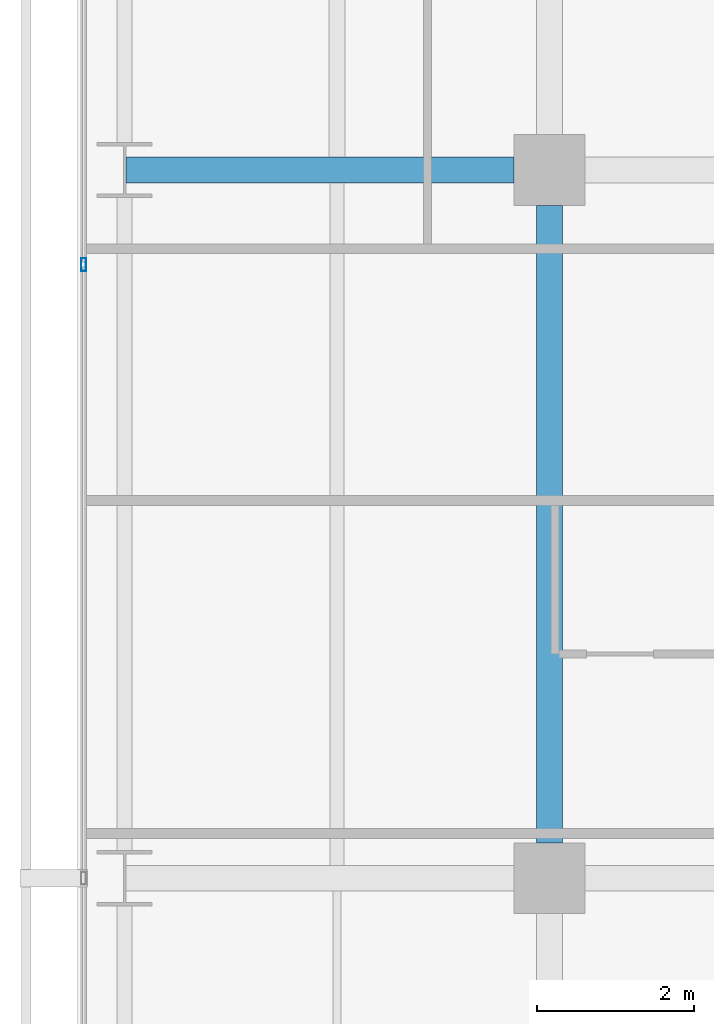
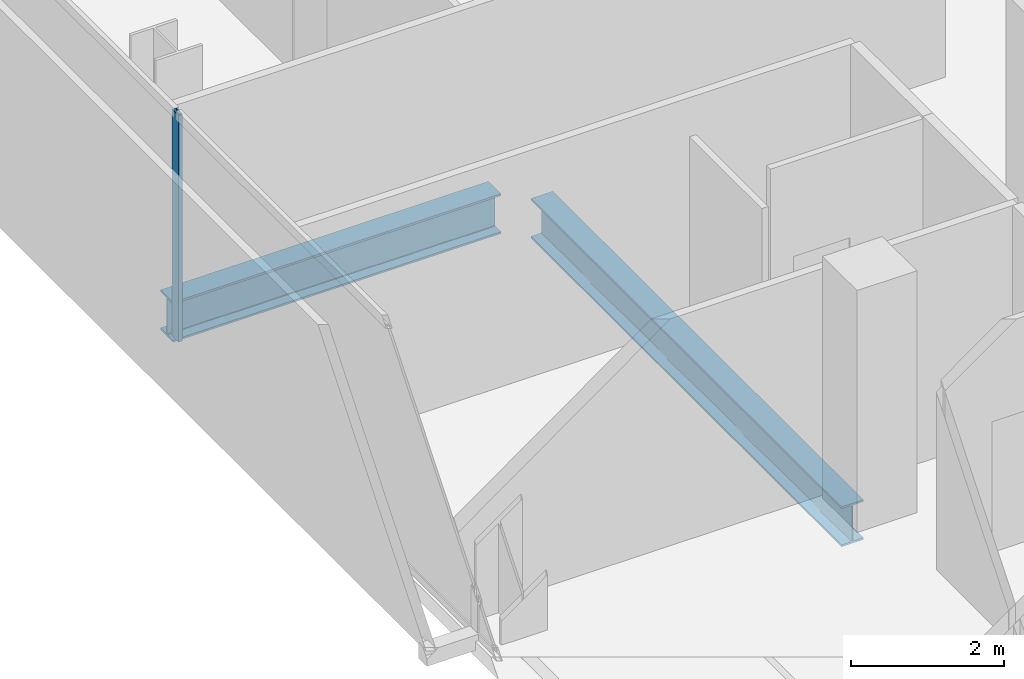
# One storey, part 21 of 40: 2 beams, 1 member, 1 element without a shape of its own.
"""IFC4 building model written with IfcOpenShell, lengths in metres."""

from ifc_helpers import new_model, si_unit, direction, frame, origin, origin_2d, place, context, subcontext, project, spatial, hollow_rectangle, i_section, extrude, material, layer, layer_set, material_profile, profile_set, type_object, element, aggregate, save


model = new_model("IFC4")

# Units and contexts
model_context = context("Model", 3, precision=1e-05, world=origin(), true_north=direction((0.0, 1.0)))
body_context = subcontext(model_context, "Body", "Model", "MODEL_VIEW")
ifc_project = project(units=[si_unit("LENGTHUNIT", "METRE"), si_unit("AREAUNIT", "SQUARE_METRE"), si_unit("VOLUMEUNIT", "CUBIC_METRE"), si_unit("PLANEANGLEUNIT", "RADIAN"), si_unit("MASSUNIT", "GRAM", prefix="KILO")], contexts=[model_context])

# Site, building, storey
site_placement = place(None, origin())
site = spatial("IfcSite", under=ifc_project, at=site_placement, CompositionType="ELEMENT")
building_placement = place(site_placement, origin())
building = spatial("IfcBuilding", under=site, at=building_placement, Name="Maruvema Waterfront Hotel and Observation Tower", CompositionType="ELEMENT")
storey_placement = place(building_placement, frame((0.0, 0.0, 34.64990234375)))
storey = spatial("IfcBuildingStorey", under=building, at=storey_placement, Name="L07", CompositionType="ELEMENT", Elevation=34.64990234375)

# Curtain wall, member
ifc_material_1 = material(Name="Anodised bronze aluminium and solar-control low-E IGU", Category="aluminium")
ifc_layer = layer(ifc_material_1, 0.159912109375, Name="Zone 1 Bronze Inner Thermal Curtain Wall System CW-02")
ifc_layer_set = layer_set([ifc_layer], Name="Anodised bronze aluminium and solar-control low-E IGU")
curtain_wall_type = type_object("IfcCurtainWallType", Name="Zone 1 Bronze Inner Thermal Curtain Wall System CW-02", PredefinedType="USERDEFINED", material=ifc_layer_set)
curtain_wall_placement = place(storey_placement, origin())
curtain_wall = element("IfcCurtainWall", 1, at=curtain_wall_placement, inside=storey, type_object=curtain_wall_type, Name="L07 Curtain Wall CW-L07-W", ObjectType="UNITISED CURTAIN WALL", PredefinedType="USERDEFINED")
ifc_material_2 = material(Name="Anodised architectural bronze aluminium", Category="aluminium")
ifc_material_profile_1 = material_profile(ifc_material_2, hollow_rectangle(XDim=0.06494140625, YDim=0.1650390625, WallThickness=0.00390625, at=origin_2d()), Name="ALU-M65x165")
ifc_profile_set_1 = profile_set([ifc_material_profile_1], Name="Anodised architectural bronze aluminium")
member_type = type_object("IfcMemberType", Name="Curtain Wall Primary Mullion ALU-M65x165", PredefinedType="MULLION", material=ifc_profile_set_1)
member_placement = place(storey_placement, frame((10.8798828125, 34.800048828125, 0.0), z_axis=(0.0, 0.0, 1.0), x_axis=(1.0, 0.0, 0.0)))
member = element("IfcMember", 2, at=member_placement, type_object=member_type, Name="CW-02 mullion 3", PredefinedType="MULLION", context=body_context, shape_type="SweptSolid", body=[
    extrude(hollow_rectangle(XDim=0.06494140625, YDim=0.1650390625, WallThickness=0.00390625, at=origin_2d()), origin(), (0.0, 0.0, 1.0), 3.610107421875),
])
aggregate(curtain_wall, [member])

# Beams
ifc_material_3 = material(Name="Steel ASTM A572 Grade 50", Category="steel")
ifc_material_profile_2 = material_profile(ifc_material_3, i_section(OverallWidth=0.3291015625, OverallDepth=0.635009765625, WebThickness=0.017822265625, FlangeThickness=0.031005859375, FilletRadius=0.01806640625, at=origin_2d()), Name="W610x241.0")
ifc_profile_set_2 = profile_set([ifc_material_profile_2], Name="Steel ASTM A572 Grade 50")
beam_type = type_object("IfcBeamType", Name="Primary Floor Girder W610x241.0", PredefinedType="BEAM", material=ifc_profile_set_2)
beam_1_placement = place(storey_placement, frame((11.4140625, 36.0, -0.557373046875), z_axis=(1.0, 0.0, 0.0), x_axis=(0.0, 1.0, 0.0)))
element("IfcBeam", 3, at=beam_1_placement, inside=storey, type_object=beam_type, Name="L07 Floor Girder EW-25", PredefinedType="BEAM", context=body_context, shape_type="SweptSolid", body=[
    extrude(i_section(OverallWidth=0.3291015625, OverallDepth=0.635009765625, WebThickness=0.017822265625, FlangeThickness=0.031005859375, FilletRadius=0.01806640625, at=origin_2d()), origin(), (0.0, 0.0, 1.0), 4.93603515625),
])
beam_2_placement = place(storey_placement, frame((16.800048828125, 27.449951171875, -0.557373046875), z_axis=(0.0, 1.0, 0.0), x_axis=(-1.0, 0.0, 0.0)))
element("IfcBeam", 4, at=beam_2_placement, inside=storey, type_object=beam_type, Name="L07 Floor Girder NS-08", PredefinedType="BEAM", context=body_context, shape_type="SweptSolid", body=[
    extrude(i_section(OverallWidth=0.3291015625, OverallDepth=0.635009765625, WebThickness=0.017822265625, FlangeThickness=0.031005859375, FilletRadius=0.01806640625, at=origin_2d()), origin(), (0.0, 0.0, 1.0), 8.10009765625),
])

save(model, "model.ifc")
